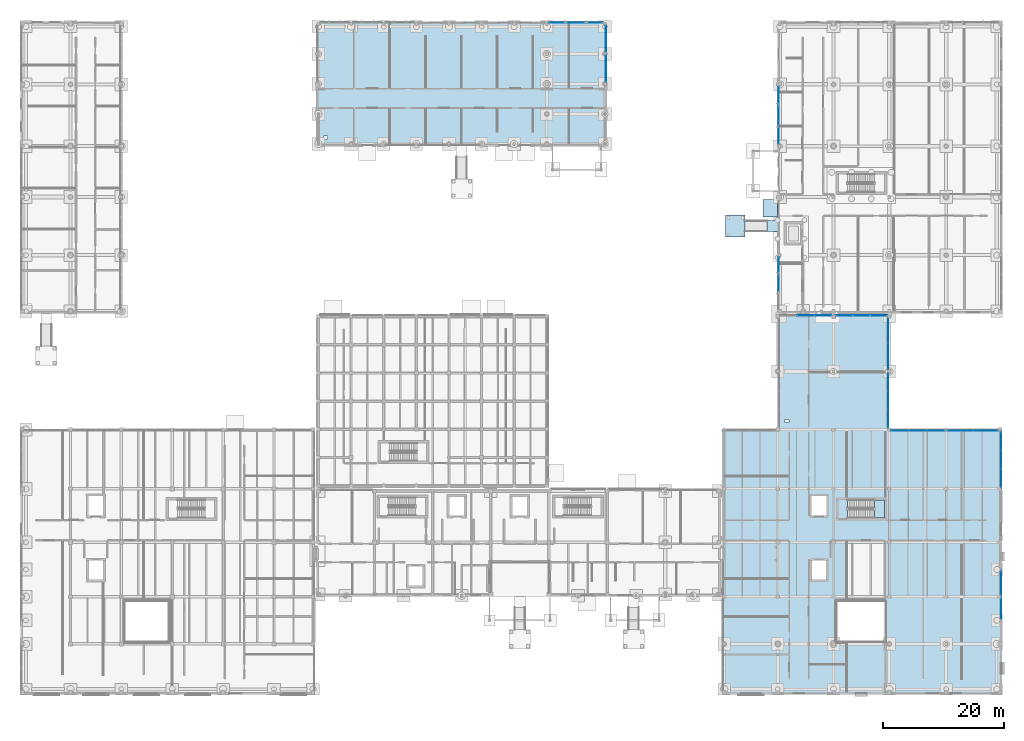
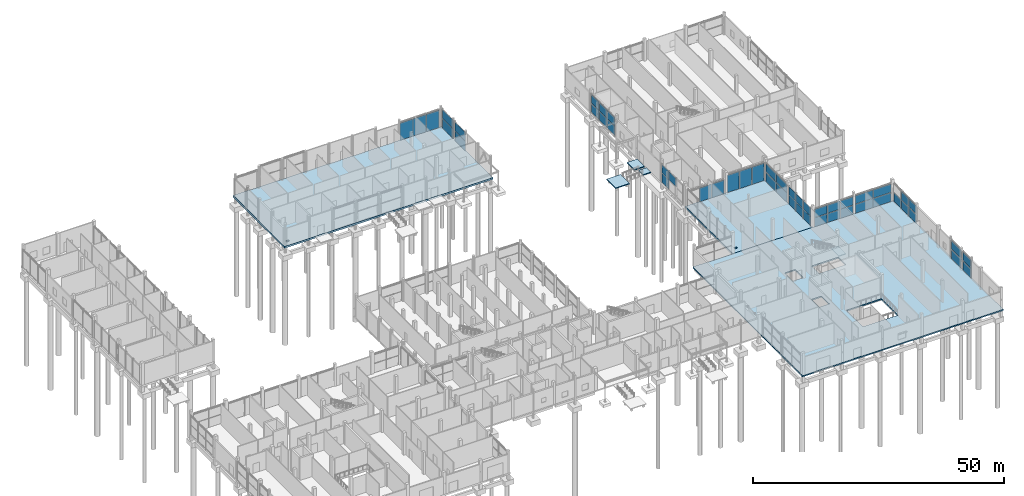
# One storey, part 51 of 88: 50 plates, 7 slabs, 16 elements without a shape of their own.
"""IFC4 building model written with IfcOpenShell, lengths in metres."""

from ifc_helpers import new_model, si_unit, direction, frame, origin, origin_2d, place, context, subcontext, project, spatial, polyline, rectangle, outline, extrude, material, layer, layer_set, type_object, element, aggregate, save


model = new_model("IFC4")

# Units and contexts
model_context = context("Model", 3, precision=1e-05, world=origin(), true_north=direction((0.0, 1.0)))
body_context = subcontext(model_context, "Body", "Model", "MODEL_VIEW")
ifc_project = project(units=[si_unit("LENGTHUNIT", "METRE"), si_unit("AREAUNIT", "SQUARE_METRE"), si_unit("VOLUMEUNIT", "CUBIC_METRE"), si_unit("PLANEANGLEUNIT", "RADIAN"), si_unit("MASSUNIT", "GRAM", prefix="KILO")], contexts=[model_context])

# Site, building, storey
site_placement = place(None, origin())
site = spatial("IfcSite", under=ifc_project, at=site_placement, CompositionType="ELEMENT")
building_placement = place(site_placement, origin())
building = spatial("IfcBuilding", under=site, at=building_placement, Name="Birchvale Park Specialist Clinic", CompositionType="ELEMENT")
storey_placement = place(building_placement, origin())
storey = spatial("IfcBuildingStorey", under=building, at=storey_placement, Name="L00", CompositionType="ELEMENT", Elevation=0.0)

# Curtain wall, plates
ifc_material_1 = material(Name="Thermally broken anodised aluminium", Category="aluminium")
ifc_layer_1 = layer(ifc_material_1, 0.195068359375)
ifc_layer_set_1 = layer_set([ifc_layer_1], Name="Thermally broken anodised aluminium")
curtain_wall_type_1 = type_object("IfcCurtainWallType", Name="CW-U2", PredefinedType="USERDEFINED", material=ifc_layer_set_1)
curtain_wall_1_placement = place(storey_placement, origin())
curtain_wall_1 = element("IfcCurtainWall", 1, at=curtain_wall_1_placement, inside=storey, type_object=curtain_wall_type_1, Name="V5 L00 glazed curtain wall 46", ObjectType="UNITISED", PredefinedType="USERDEFINED")
ifc_material_2 = material(Name="Solar-control low-E double glazing", Category="glass")
ifc_layer_2 = layer(ifc_material_2, 0.031982421875)
ifc_layer_set_2 = layer_set([ifc_layer_2], Name="Solar-control low-E double glazing")
plate_type_1 = type_object("IfcPlateType", Name="CWP2", PredefinedType="CURTAIN_PANEL", material=ifc_layer_set_2)
plate_1_placement = place(storey_placement, frame((164.875, 14.802490234375, 0.06494140625), z_axis=(0.0, 0.0, 1.0), x_axis=(0.0, 1.0, 0.0)))
plate_1 = element("IfcPlate", 2, at=plate_1_placement, type_object=plate_type_1, Name="CW panel 1.1", PredefinedType="CURTAIN_PANEL", context=body_context, shape_type="SweptSolid", body=[
    extrude(rectangle(XDim=3.3349609375, YDim=0.031982421875, at=origin_2d()), origin(), (0.0, 0.0, 1.0), 2.27880859375),
])
plate_2_placement = place(storey_placement, frame((164.875, 14.802490234375, 2.408935546875), z_axis=(0.0, 0.0, 1.0), x_axis=(0.0, 1.0, 0.0)))
plate_2 = element("IfcPlate", 3, at=plate_2_placement, type_object=plate_type_1, Name="CW panel 1.2", PredefinedType="CURTAIN_PANEL", context=body_context, shape_type="SweptSolid", body=[
    extrude(rectangle(XDim=3.3349609375, YDim=0.031982421875, at=origin_2d()), origin(), (0.0, 0.0, 1.0), 2.09619140625),
])
aggregate(curtain_wall_1, [plate_1, plate_2])

curtain_wall_2_placement = place(storey_placement, origin())
curtain_wall_2 = element("IfcCurtainWall", 4, at=curtain_wall_2_placement, inside=storey, type_object=curtain_wall_type_1, Name="V5 L00 glazed curtain wall 47", ObjectType="UNITISED", PredefinedType="USERDEFINED")
plate_3_placement = place(storey_placement, frame((164.875, 19.1025390625, 0.06494140625), z_axis=(0.0, 0.0, 1.0), x_axis=(0.0, 1.0, 0.0)))
plate_3 = element("IfcPlate", 5, at=plate_3_placement, type_object=plate_type_1, Name="CW panel 1.1", PredefinedType="CURTAIN_PANEL", context=body_context, shape_type="SweptSolid", body=[
    extrude(rectangle(XDim=3.945068359375, YDim=0.031982421875, at=origin_2d()), origin(), (0.0, 0.0, 1.0), 2.27880859375),
])
plate_4_placement = place(storey_placement, frame((164.875, 19.1025390625, 2.408935546875), z_axis=(0.0, 0.0, 1.0), x_axis=(0.0, 1.0, 0.0)))
plate_4 = element("IfcPlate", 6, at=plate_4_placement, type_object=plate_type_1, Name="CW panel 1.2", PredefinedType="CURTAIN_PANEL", context=body_context, shape_type="SweptSolid", body=[
    extrude(rectangle(XDim=3.945068359375, YDim=0.031982421875, at=origin_2d()), origin(), (0.0, 0.0, 1.0), 2.09619140625),
])
aggregate(curtain_wall_2, [plate_3, plate_4])

curtain_wall_3_placement = place(storey_placement, origin())
curtain_wall_3 = element("IfcCurtainWall", 7, at=curtain_wall_3_placement, inside=storey, type_object=curtain_wall_type_1, Name="V5 L00 glazed curtain wall 48", ObjectType="UNITISED", PredefinedType="USERDEFINED")
plate_5_placement = place(storey_placement, frame((164.875, 36.41796875, 0.06494140625), z_axis=(0.0, 0.0, 1.0), x_axis=(0.0, 1.0, 0.0)))
plate_5 = element("IfcPlate", 8, at=plate_5_placement, type_object=plate_type_1, Name="CW panel 1.1", PredefinedType="CURTAIN_PANEL", context=body_context, shape_type="SweptSolid", body=[
    extrude(rectangle(XDim=2.975830078125, YDim=0.031982421875, at=origin_2d()), origin(), (0.0, 0.0, 1.0), 2.226806640625),
])
plate_6_placement = place(storey_placement, frame((164.875, 36.41796875, 2.35693359375), z_axis=(0.0, 0.0, 1.0), x_axis=(0.0, 1.0, 0.0)))
plate_6 = element("IfcPlate", 9, at=plate_6_placement, type_object=plate_type_1, Name="CW panel 1.2", PredefinedType="CURTAIN_PANEL", context=body_context, shape_type="SweptSolid", body=[
    extrude(rectangle(XDim=2.975830078125, YDim=0.031982421875, at=origin_2d()), origin(), (0.0, 0.0, 1.0), 2.048095703125),
])
plate_7_placement = place(storey_placement, frame((164.875, 39.47509765625, 0.06494140625), z_axis=(0.0, 0.0, 1.0), x_axis=(0.0, 1.0, 0.0)))
plate_7 = element("IfcPlate", 10, at=plate_7_placement, type_object=plate_type_1, Name="CW panel 2.1", PredefinedType="CURTAIN_PANEL", context=body_context, shape_type="SweptSolid", body=[
    extrude(rectangle(XDim=3.00830078125, YDim=0.031982421875, at=origin_2d()), origin(), (0.0, 0.0, 1.0), 2.226806640625),
])
plate_8_placement = place(storey_placement, frame((164.875, 39.47509765625, 2.35693359375), z_axis=(0.0, 0.0, 1.0), x_axis=(0.0, 1.0, 0.0)))
plate_8 = element("IfcPlate", 11, at=plate_8_placement, type_object=plate_type_1, Name="CW panel 2.2", PredefinedType="CURTAIN_PANEL", context=body_context, shape_type="SweptSolid", body=[
    extrude(rectangle(XDim=3.00830078125, YDim=0.031982421875, at=origin_2d()), origin(), (0.0, 0.0, 1.0), 2.048095703125),
])
plate_9_placement = place(storey_placement, frame((164.875, 42.531982421875, 0.06494140625), z_axis=(0.0, 0.0, 1.0), x_axis=(0.0, 1.0, 0.0)))
plate_9 = element("IfcPlate", 12, at=plate_9_placement, type_object=plate_type_1, Name="CW panel 3.1", PredefinedType="CURTAIN_PANEL", context=body_context, shape_type="SweptSolid", body=[
    extrude(rectangle(XDim=2.975830078125, YDim=0.031982421875, at=origin_2d()), origin(), (0.0, 0.0, 1.0), 2.226806640625),
])
aggregate(curtain_wall_3, [plate_5, plate_6, plate_7, plate_8, plate_9])

curtain_wall_4_placement = place(storey_placement, origin())
curtain_wall_4 = element("IfcCurtainWall", 13, at=curtain_wall_4_placement, inside=storey, type_object=curtain_wall_type_1, Name="V5 L00 glazed curtain wall 49", ObjectType="UNITISED", PredefinedType="USERDEFINED")
plate_10_placement = place(storey_placement, frame((162.2724609375, 44.22509765625, 0.06494140625), z_axis=(0.0, 0.0, 1.0), x_axis=(-1.0, 0.0, 0.0)))
plate_10 = element("IfcPlate", 14, at=plate_10_placement, type_object=plate_type_1, Name="CW panel 1.1", PredefinedType="CURTAIN_PANEL", context=body_context, shape_type="SweptSolid", body=[
    extrude(rectangle(XDim=4.094970703125, YDim=0.031982421875, at=origin_2d()), origin(), (0.0, 0.0, 1.0), 2.2216796875),
])
plate_11_placement = place(storey_placement, frame((162.2724609375, 44.22509765625, 2.3515625), z_axis=(0.0, 0.0, 1.0), x_axis=(-1.0, 0.0, 0.0)))
plate_11 = element("IfcPlate", 15, at=plate_11_placement, type_object=plate_type_1, Name="CW panel 1.2", PredefinedType="CURTAIN_PANEL", context=body_context, shape_type="SweptSolid", body=[
    extrude(rectangle(XDim=4.094970703125, YDim=0.031982421875, at=origin_2d()), origin(), (0.0, 0.0, 1.0), 2.043212890625),
])
plate_12_placement = place(storey_placement, frame((158.112548828125, 44.22509765625, 0.06494140625), z_axis=(0.0, 0.0, 1.0), x_axis=(-1.0, 0.0, 0.0)))
plate_12 = element("IfcPlate", 16, at=plate_12_placement, type_object=plate_type_1, Name="CW panel 2.1", PredefinedType="CURTAIN_PANEL", context=body_context, shape_type="SweptSolid", body=[
    extrude(rectangle(XDim=4.094970703125, YDim=0.031982421875, at=origin_2d()), origin(), (0.0, 0.0, 1.0), 2.2216796875),
])
plate_13_placement = place(storey_placement, frame((158.112548828125, 44.22509765625, 2.3515625), z_axis=(0.0, 0.0, 1.0), x_axis=(-1.0, 0.0, 0.0)))
plate_13 = element("IfcPlate", 17, at=plate_13_placement, type_object=plate_type_1, Name="CW panel 2.2", PredefinedType="CURTAIN_PANEL", context=body_context, shape_type="SweptSolid", body=[
    extrude(rectangle(XDim=4.094970703125, YDim=0.031982421875, at=origin_2d()), origin(), (0.0, 0.0, 1.0), 2.043212890625),
])
aggregate(curtain_wall_4, [plate_10, plate_11, plate_12, plate_13])

curtain_wall_5_placement = place(storey_placement, origin())
curtain_wall_5 = element("IfcCurtainWall", 18, at=curtain_wall_5_placement, inside=storey, type_object=curtain_wall_type_1, Name="V5 L00 glazed curtain wall 50", ObjectType="UNITISED", PredefinedType="USERDEFINED")
plate_14_placement = place(storey_placement, frame((154.09619140625, 44.22509765625, 0.06494140625), z_axis=(0.0, 0.0, 1.0), x_axis=(-1.0, 0.0, 0.0)))
plate_14 = element("IfcPlate", 19, at=plate_14_placement, type_object=plate_type_1, Name="CW panel 1.1", PredefinedType="CURTAIN_PANEL", context=body_context, shape_type="SweptSolid", body=[
    extrude(rectangle(XDim=2.87744140625, YDim=0.031982421875, at=origin_2d()), origin(), (0.0, 0.0, 1.0), 2.208740234375),
])
plate_15_placement = place(storey_placement, frame((154.09619140625, 44.22509765625, 2.338623046875), z_axis=(0.0, 0.0, 1.0), x_axis=(-1.0, 0.0, 0.0)))
plate_15 = element("IfcPlate", 20, at=plate_15_placement, type_object=plate_type_1, Name="CW panel 1.2", PredefinedType="CURTAIN_PANEL", context=body_context, shape_type="SweptSolid", body=[
    extrude(rectangle(XDim=2.87744140625, YDim=0.031982421875, at=origin_2d()), origin(), (0.0, 0.0, 1.0), 2.03125),
])
plate_16_placement = place(storey_placement, frame((151.137451171875, 44.22509765625, 0.06494140625), z_axis=(0.0, 0.0, 1.0), x_axis=(-1.0, 0.0, 0.0)))
plate_16 = element("IfcPlate", 21, at=plate_16_placement, type_object=plate_type_1, Name="CW panel 2.1", PredefinedType="CURTAIN_PANEL", context=body_context, shape_type="SweptSolid", body=[
    extrude(rectangle(XDim=2.909912109375, YDim=0.031982421875, at=origin_2d()), origin(), (0.0, 0.0, 1.0), 2.208740234375),
])
plate_17_placement = place(storey_placement, frame((151.137451171875, 44.22509765625, 2.338623046875), z_axis=(0.0, 0.0, 1.0), x_axis=(-1.0, 0.0, 0.0)))
plate_17 = element("IfcPlate", 22, at=plate_17_placement, type_object=plate_type_1, Name="CW panel 2.2", PredefinedType="CURTAIN_PANEL", context=body_context, shape_type="SweptSolid", body=[
    extrude(rectangle(XDim=2.909912109375, YDim=0.031982421875, at=origin_2d()), origin(), (0.0, 0.0, 1.0), 2.03125),
])
plate_18_placement = place(storey_placement, frame((148.1787109375, 44.22509765625, 0.06494140625), z_axis=(0.0, 0.0, 1.0), x_axis=(-1.0, 0.0, 0.0)))
plate_18 = element("IfcPlate", 23, at=plate_18_placement, type_object=plate_type_1, Name="CW panel 3.1", PredefinedType="CURTAIN_PANEL", context=body_context, shape_type="SweptSolid", body=[
    extrude(rectangle(XDim=2.87744140625, YDim=0.031982421875, at=origin_2d()), origin(), (0.0, 0.0, 1.0), 2.208740234375),
])
plate_19_placement = place(storey_placement, frame((148.1787109375, 44.22509765625, 2.338623046875), z_axis=(0.0, 0.0, 1.0), x_axis=(-1.0, 0.0, 0.0)))
plate_19 = element("IfcPlate", 24, at=plate_19_placement, type_object=plate_type_1, Name="CW panel 3.2", PredefinedType="CURTAIN_PANEL", context=body_context, shape_type="SweptSolid", body=[
    extrude(rectangle(XDim=2.87744140625, YDim=0.031982421875, at=origin_2d()), origin(), (0.0, 0.0, 1.0), 2.03125),
])
aggregate(curtain_wall_5, [plate_14, plate_15, plate_16, plate_17, plate_18, plate_19])

curtain_wall_6_placement = place(storey_placement, origin())
curtain_wall_6 = element("IfcCurtainWall", 25, at=curtain_wall_6_placement, inside=storey, type_object=curtain_wall_type_1, Name="V5 L00 glazed curtain wall 55", ObjectType="UNITISED", PredefinedType="USERDEFINED")
plate_20_placement = place(storey_placement, frame((146.22509765625, 46.191162109375, 0.06494140625), z_axis=(0.0, 0.0, 1.0), x_axis=(0.0, 1.0, 0.0)))
plate_20 = element("IfcPlate", 26, at=plate_20_placement, type_object=plate_type_1, Name="CW panel 1.1", PredefinedType="CURTAIN_PANEL", context=body_context, shape_type="SweptSolid", body=[
    extrude(rectangle(XDim=2.902587890625, YDim=0.031982421875, at=origin_2d()), origin(), (0.0, 0.0, 1.0), 2.234619140625),
])
plate_21_placement = place(storey_placement, frame((146.22509765625, 46.191162109375, 2.36474609375), z_axis=(0.0, 0.0, 1.0), x_axis=(0.0, 1.0, 0.0)))
plate_21 = element("IfcPlate", 27, at=plate_21_placement, type_object=plate_type_1, Name="CW panel 1.2", PredefinedType="CURTAIN_PANEL", context=body_context, shape_type="SweptSolid", body=[
    extrude(rectangle(XDim=2.902587890625, YDim=0.031982421875, at=origin_2d()), origin(), (0.0, 0.0, 1.0), 2.055419921875),
])
plate_22_placement = place(storey_placement, frame((146.22509765625, 49.175048828125, 0.06494140625), z_axis=(0.0, 0.0, 1.0), x_axis=(0.0, 1.0, 0.0)))
plate_22 = element("IfcPlate", 28, at=plate_22_placement, type_object=plate_type_1, Name="CW panel 2.1", PredefinedType="CURTAIN_PANEL", context=body_context, shape_type="SweptSolid", body=[
    extrude(rectangle(XDim=2.93505859375, YDim=0.031982421875, at=origin_2d()), origin(), (0.0, 0.0, 1.0), 2.234619140625),
])
plate_23_placement = place(storey_placement, frame((146.22509765625, 49.175048828125, 2.36474609375), z_axis=(0.0, 0.0, 1.0), x_axis=(0.0, 1.0, 0.0)))
plate_23 = element("IfcPlate", 29, at=plate_23_placement, type_object=plate_type_1, Name="CW panel 2.2", PredefinedType="CURTAIN_PANEL", context=body_context, shape_type="SweptSolid", body=[
    extrude(rectangle(XDim=2.93505859375, YDim=0.031982421875, at=origin_2d()), origin(), (0.0, 0.0, 1.0), 2.055419921875),
])
plate_24_placement = place(storey_placement, frame((146.22509765625, 52.15869140625, 0.06494140625), z_axis=(0.0, 0.0, 1.0), x_axis=(0.0, 1.0, 0.0)))
plate_24 = element("IfcPlate", 30, at=plate_24_placement, type_object=plate_type_1, Name="CW panel 3.1", PredefinedType="CURTAIN_PANEL", context=body_context, shape_type="SweptSolid", body=[
    extrude(rectangle(XDim=2.902587890625, YDim=0.031982421875, at=origin_2d()), origin(), (0.0, 0.0, 1.0), 2.234619140625),
])
plate_25_placement = place(storey_placement, frame((146.22509765625, 52.15869140625, 2.36474609375), z_axis=(0.0, 0.0, 1.0), x_axis=(0.0, 1.0, 0.0)))
plate_25 = element("IfcPlate", 31, at=plate_25_placement, type_object=plate_type_1, Name="CW panel 3.2", PredefinedType="CURTAIN_PANEL", context=body_context, shape_type="SweptSolid", body=[
    extrude(rectangle(XDim=2.902587890625, YDim=0.031982421875, at=origin_2d()), origin(), (0.0, 0.0, 1.0), 2.055419921875),
])
aggregate(curtain_wall_6, [plate_20, plate_21, plate_22, plate_23, plate_24, plate_25])

curtain_wall_7_placement = place(storey_placement, origin())
curtain_wall_7 = element("IfcCurtainWall", 32, at=curtain_wall_7_placement, inside=storey, type_object=curtain_wall_type_1, Name="V5 L00 glazed curtain wall 56", ObjectType="UNITISED", PredefinedType="USERDEFINED")
plate_26_placement = place(storey_placement, frame((146.22509765625, 56.456298828125, 0.06494140625), z_axis=(0.0, 0.0, 1.0), x_axis=(0.0, 1.0, 0.0)))
plate_26 = element("IfcPlate", 33, at=plate_26_placement, type_object=plate_type_1, Name="CW panel 1.1", PredefinedType="CURTAIN_PANEL", context=body_context, shape_type="SweptSolid", body=[
    extrude(rectangle(XDim=4.132568359375, YDim=0.031982421875, at=origin_2d()), origin(), (0.0, 0.0, 1.0), 2.28662109375),
])
plate_27_placement = place(storey_placement, frame((146.22509765625, 56.456298828125, 2.41650390625), z_axis=(0.0, 0.0, 1.0), x_axis=(0.0, 1.0, 0.0)))
plate_27 = element("IfcPlate", 34, at=plate_27_placement, type_object=plate_type_1, Name="CW panel 1.2", PredefinedType="CURTAIN_PANEL", context=body_context, shape_type="SweptSolid", body=[
    extrude(rectangle(XDim=4.132568359375, YDim=0.031982421875, at=origin_2d()), origin(), (0.0, 0.0, 1.0), 2.103271484375),
])
plate_28_placement = place(storey_placement, frame((146.22509765625, 60.65380859375, 0.06494140625), z_axis=(0.0, 0.0, 1.0), x_axis=(0.0, 1.0, 0.0)))
plate_28 = element("IfcPlate", 35, at=plate_28_placement, type_object=plate_type_1, Name="CW panel 2.1", PredefinedType="CURTAIN_PANEL", context=body_context, shape_type="SweptSolid", body=[
    extrude(rectangle(XDim=4.132568359375, YDim=0.031982421875, at=origin_2d()), origin(), (0.0, 0.0, 1.0), 2.28662109375),
])
plate_29_placement = place(storey_placement, frame((146.22509765625, 60.65380859375, 2.41650390625), z_axis=(0.0, 0.0, 1.0), x_axis=(0.0, 1.0, 0.0)))
plate_29 = element("IfcPlate", 36, at=plate_29_placement, type_object=plate_type_1, Name="CW panel 2.2", PredefinedType="CURTAIN_PANEL", context=body_context, shape_type="SweptSolid", body=[
    extrude(rectangle(XDim=4.132568359375, YDim=0.031982421875, at=origin_2d()), origin(), (0.0, 0.0, 1.0), 2.103271484375),
])
aggregate(curtain_wall_7, [plate_26, plate_27, plate_28, plate_29])

curtain_wall_8_placement = place(storey_placement, origin())
curtain_wall_8 = element("IfcCurtainWall", 37, at=curtain_wall_8_placement, inside=storey, type_object=curtain_wall_type_1, Name="V5 L00 glazed curtain wall 57", ObjectType="UNITISED", PredefinedType="USERDEFINED")
plate_30_placement = place(storey_placement, frame((144.677978515625, 63.22509765625, 0.06494140625), z_axis=(0.0, 0.0, 1.0), x_axis=(-1.0, 0.0, 0.0)))
plate_30 = element("IfcPlate", 38, at=plate_30_placement, type_object=plate_type_1, Name="CW panel 1.1", PredefinedType="CURTAIN_PANEL", context=body_context, shape_type="SweptSolid", body=[
    extrude(rectangle(XDim=2.7841796875, YDim=0.031982421875, at=origin_2d()), origin(), (0.0, 0.0, 1.0), 4.264892578125),
])
plate_31_placement = place(storey_placement, frame((141.8125, 63.22509765625, 0.06494140625), z_axis=(0.0, 0.0, 1.0), x_axis=(-1.0, 0.0, 0.0)))
plate_31 = element("IfcPlate", 39, at=plate_31_placement, type_object=plate_type_1, Name="CW panel 2.1", PredefinedType="CURTAIN_PANEL", context=body_context, shape_type="SweptSolid", body=[
    extrude(rectangle(XDim=2.816650390625, YDim=0.031982421875, at=origin_2d()), origin(), (0.0, 0.0, 1.0), 4.264892578125),
])
plate_32_placement = place(storey_placement, frame((138.947021484375, 63.22509765625, 0.06494140625), z_axis=(0.0, 0.0, 1.0), x_axis=(-1.0, 0.0, 0.0)))
plate_32 = element("IfcPlate", 40, at=plate_32_placement, type_object=plate_type_1, Name="CW panel 3.1", PredefinedType="CURTAIN_PANEL", context=body_context, shape_type="SweptSolid", body=[
    extrude(rectangle(XDim=2.7841796875, YDim=0.031982421875, at=origin_2d()), origin(), (0.0, 0.0, 1.0), 4.264892578125),
])
aggregate(curtain_wall_8, [plate_30, plate_31, plate_32])

curtain_wall_9_placement = place(storey_placement, origin())
curtain_wall_9 = element("IfcCurtainWall", 41, at=curtain_wall_9_placement, inside=storey, type_object=curtain_wall_type_1, Name="V5 L00 glazed curtain wall 58", ObjectType="UNITISED", PredefinedType="USERDEFINED")
plate_33_placement = place(storey_placement, frame((135.461181640625, 63.22509765625, 0.06494140625), z_axis=(0.0, 0.0, 1.0), x_axis=(-1.0, 0.0, 0.0)))
plate_33 = element("IfcPlate", 42, at=plate_33_placement, type_object=plate_type_1, Name="CW panel 1.1", PredefinedType="CURTAIN_PANEL", context=body_context, shape_type="SweptSolid", body=[
    extrude(rectangle(XDim=2.767578125, YDim=0.031982421875, at=origin_2d()), origin(), (0.0, 0.0, 1.0), 3.3779296875),
])
plate_34_placement = place(storey_placement, frame((132.612548828125, 63.22509765625, 0.06494140625), z_axis=(0.0, 0.0, 1.0), x_axis=(-1.0, 0.0, 0.0)))
plate_34 = element("IfcPlate", 43, at=plate_34_placement, type_object=plate_type_1, Name="CW panel 2.1", PredefinedType="CURTAIN_PANEL", context=body_context, shape_type="SweptSolid", body=[
    extrude(rectangle(XDim=2.800048828125, YDim=0.031982421875, at=origin_2d()), origin(), (0.0, 0.0, 1.0), 3.3779296875),
])
aggregate(curtain_wall_9, [plate_33, plate_34])

ifc_layer_3 = layer(ifc_material_1, 0.2099609375)
ifc_layer_set_3 = layer_set([ifc_layer_3], Name="Thermally broken anodised aluminium")
curtain_wall_type_2 = type_object("IfcCurtainWallType", Name="CW-U3", PredefinedType="USERDEFINED", material=ifc_layer_set_3)
curtain_wall_10_placement = place(storey_placement, origin())
curtain_wall_10 = element("IfcCurtainWall", 44, at=curtain_wall_10_placement, inside=storey, type_object=curtain_wall_type_2, Name="V6 L00 glazed curtain wall 66", ObjectType="UNITISED", PredefinedType="USERDEFINED")
ifc_layer_4 = layer(ifc_material_2, 0.035888671875)
ifc_layer_set_4 = layer_set([ifc_layer_4], Name="Solar-control low-E double glazing")
plate_type_2 = type_object("IfcPlateType", Name="CWP3", PredefinedType="CURTAIN_PANEL", material=ifc_layer_set_4)
plate_35_placement = place(storey_placement, frame((128.14501953125, 99.4892578125, 0.06982421875), z_axis=(0.0, 0.0, 1.0), x_axis=(0.0, -1.0, 0.0)))
plate_35 = element("IfcPlate", 45, at=plate_35_placement, type_object=plate_type_2, Name="CW panel 1.1", PredefinedType="CURTAIN_PANEL", context=body_context, shape_type="SweptSolid", body=[
    extrude(rectangle(XDim=3.1015625, YDim=0.035888671875, at=origin_2d()), origin(), (0.0, 0.0, 1.0), 2.206298828125),
])
plate_36_placement = place(storey_placement, frame((128.14501953125, 99.4892578125, 2.34619140625), z_axis=(0.0, 0.0, 1.0), x_axis=(0.0, -1.0, 0.0)))
plate_36 = element("IfcPlate", 46, at=plate_36_placement, type_object=plate_type_2, Name="CW panel 1.2", PredefinedType="CURTAIN_PANEL", context=body_context, shape_type="SweptSolid", body=[
    extrude(rectangle(XDim=3.1015625, YDim=0.035888671875, at=origin_2d()), origin(), (0.0, 0.0, 1.0), 2.028564453125),
])
plate_37_placement = place(storey_placement, frame((128.14501953125, 96.300048828125, 0.06982421875), z_axis=(0.0, 0.0, 1.0), x_axis=(0.0, -1.0, 0.0)))
plate_37 = element("IfcPlate", 47, at=plate_37_placement, type_object=plate_type_2, Name="CW panel 2.1", PredefinedType="CURTAIN_PANEL", context=body_context, shape_type="SweptSolid", body=[
    extrude(rectangle(XDim=3.13671875, YDim=0.035888671875, at=origin_2d()), origin(), (0.0, 0.0, 1.0), 2.206298828125),
])
plate_38_placement = place(storey_placement, frame((128.14501953125, 96.300048828125, 2.34619140625), z_axis=(0.0, 0.0, 1.0), x_axis=(0.0, -1.0, 0.0)))
plate_38 = element("IfcPlate", 48, at=plate_38_placement, type_object=plate_type_2, Name="CW panel 2.2", PredefinedType="CURTAIN_PANEL", context=body_context, shape_type="SweptSolid", body=[
    extrude(rectangle(XDim=3.13671875, YDim=0.035888671875, at=origin_2d()), origin(), (0.0, 0.0, 1.0), 2.028564453125),
])
plate_39_placement = place(storey_placement, frame((128.14501953125, 93.11083984375, 0.06982421875), z_axis=(0.0, 0.0, 1.0), x_axis=(0.0, -1.0, 0.0)))
plate_39 = element("IfcPlate", 49, at=plate_39_placement, type_object=plate_type_2, Name="CW panel 3.1", PredefinedType="CURTAIN_PANEL", context=body_context, shape_type="SweptSolid", body=[
    extrude(rectangle(XDim=3.1015625, YDim=0.035888671875, at=origin_2d()), origin(), (0.0, 0.0, 1.0), 2.206298828125),
])
plate_40_placement = place(storey_placement, frame((128.14501953125, 93.11083984375, 2.34619140625), z_axis=(0.0, 0.0, 1.0), x_axis=(0.0, -1.0, 0.0)))
plate_40 = element("IfcPlate", 50, at=plate_40_placement, type_object=plate_type_2, Name="CW panel 3.2", PredefinedType="CURTAIN_PANEL", context=body_context, shape_type="SweptSolid", body=[
    extrude(rectangle(XDim=3.1015625, YDim=0.035888671875, at=origin_2d()), origin(), (0.0, 0.0, 1.0), 2.028564453125),
])
aggregate(curtain_wall_10, [plate_35, plate_36, plate_37, plate_38, plate_39, plate_40])

curtain_wall_11_placement = place(storey_placement, origin())
curtain_wall_11 = element("IfcCurtainWall", 51, at=curtain_wall_11_placement, inside=storey, type_object=curtain_wall_type_2, Name="V6 L00 glazed curtain wall 67", ObjectType="UNITISED", PredefinedType="USERDEFINED")
plate_41_placement = place(storey_placement, frame((128.14501953125, 71.447509765625, 0.06982421875), z_axis=(0.0, 0.0, 1.0), x_axis=(0.0, -1.0, 0.0)))
plate_41 = element("IfcPlate", 52, at=plate_41_placement, type_object=plate_type_2, Name="CW panel 1.1", PredefinedType="CURTAIN_PANEL", context=body_context, shape_type="SweptSolid", body=[
    extrude(rectangle(XDim=2.784912109375, YDim=0.035888671875, at=origin_2d()), origin(), (0.0, 0.0, 1.0), 2.206298828125),
])
plate_42_placement = place(storey_placement, frame((128.14501953125, 71.447509765625, 2.34619140625), z_axis=(0.0, 0.0, 1.0), x_axis=(0.0, -1.0, 0.0)))
plate_42 = element("IfcPlate", 53, at=plate_42_placement, type_object=plate_type_2, Name="CW panel 1.2", PredefinedType="CURTAIN_PANEL", context=body_context, shape_type="SweptSolid", body=[
    extrude(rectangle(XDim=2.784912109375, YDim=0.035888671875, at=origin_2d()), origin(), (0.0, 0.0, 1.0), 2.028564453125),
])
plate_43_placement = place(storey_placement, frame((128.14501953125, 68.574951171875, 2.34619140625), z_axis=(0.0, 0.0, 1.0), x_axis=(0.0, -1.0, 0.0)))
plate_43 = element("IfcPlate", 54, at=plate_43_placement, type_object=plate_type_2, Name="CW panel 2.2", PredefinedType="CURTAIN_PANEL", context=body_context, shape_type="SweptSolid", body=[
    extrude(rectangle(XDim=2.820068359375, YDim=0.035888671875, at=origin_2d()), origin(), (0.0, 0.0, 1.0), 2.028564453125),
])
aggregate(curtain_wall_11, [plate_41, plate_42, plate_43])

ifc_layer_5 = layer(ifc_material_1, 0.1650390625)
ifc_layer_set_5 = layer_set([ifc_layer_5], Name="Thermally broken anodised aluminium")
curtain_wall_type_3 = type_object("IfcCurtainWallType", Name="CW-S1", PredefinedType="USERDEFINED", material=ifc_layer_set_5)
curtain_wall_12_placement = place(storey_placement, origin())
curtain_wall_12 = element("IfcCurtainWall", 55, at=curtain_wall_12_placement, inside=storey, type_object=curtain_wall_type_3, Name="V3 L00 glazed curtain wall 36", ObjectType="STICK", PredefinedType="USERDEFINED")
ifc_layer_6 = layer(ifc_material_2, 0.0400390625)
ifc_layer_set_6 = layer_set([ifc_layer_6], Name="Solar-control low-E double glazing")
plate_type_3 = type_object("IfcPlateType", Name="CWP4", PredefinedType="CURTAIN_PANEL", material=ifc_layer_set_6)
plate_44_placement = place(storey_placement, frame((99.635009765625, 103.956298828125, 0.074951171875), z_axis=(0.0, 0.0, 1.0), x_axis=(0.0, 1.0, 0.0)))
plate_44 = element("IfcPlate", 56, at=plate_44_placement, type_object=plate_type_3, Name="CW panel 1.1", PredefinedType="CURTAIN_PANEL", context=body_context, shape_type="SweptSolid", body=[
    extrude(rectangle(XDim=4.29248046875, YDim=0.0400390625, at=origin_2d()), origin(), (0.0, 0.0, 1.0), 2.31591796875),
])
plate_45_placement = place(storey_placement, frame((99.635009765625, 103.956298828125, 2.4658203125), z_axis=(0.0, 0.0, 1.0), x_axis=(0.0, 1.0, 0.0)))
plate_45 = element("IfcPlate", 57, at=plate_45_placement, type_object=plate_type_3, Name="CW panel 1.2", PredefinedType="CURTAIN_PANEL", context=body_context, shape_type="SweptSolid", body=[
    extrude(rectangle(XDim=4.29248046875, YDim=0.0400390625, at=origin_2d()), origin(), (0.0, 0.0, 1.0), 2.129150390625),
])
aggregate(curtain_wall_12, [plate_44, plate_45])

curtain_wall_13_placement = place(storey_placement, origin())
curtain_wall_13 = element("IfcCurtainWall", 58, at=curtain_wall_13_placement, inside=storey, type_object=curtain_wall_type_3, Name="V3 L00 glazed curtain wall 37", ObjectType="STICK", PredefinedType="USERDEFINED")
plate_46_placement = place(storey_placement, frame((99.635009765625, 108.918701171875, 0.074951171875), z_axis=(0.0, 0.0, 1.0), x_axis=(0.0, 1.0, 0.0)))
plate_46 = element("IfcPlate", 59, at=plate_46_placement, type_object=plate_type_3, Name="CW panel 1.1", PredefinedType="CURTAIN_PANEL", context=body_context, shape_type="SweptSolid", body=[
    extrude(rectangle(XDim=4.29248046875, YDim=0.0400390625, at=origin_2d()), origin(), (0.0, 0.0, 1.0), 2.31591796875),
])
plate_47_placement = place(storey_placement, frame((99.635009765625, 108.918701171875, 2.4658203125), z_axis=(0.0, 0.0, 1.0), x_axis=(0.0, 1.0, 0.0)))
plate_47 = element("IfcPlate", 60, at=plate_47_placement, type_object=plate_type_3, Name="CW panel 1.2", PredefinedType="CURTAIN_PANEL", context=body_context, shape_type="SweptSolid", body=[
    extrude(rectangle(XDim=4.29248046875, YDim=0.0400390625, at=origin_2d()), origin(), (0.0, 0.0, 1.0), 2.129150390625),
])
aggregate(curtain_wall_13, [plate_46, plate_47])

curtain_wall_14_placement = place(storey_placement, origin())
curtain_wall_14 = element("IfcCurtainWall", 61, at=curtain_wall_14_placement, inside=storey, type_object=curtain_wall_type_3, Name="V3 L00 glazed curtain wall 38", ObjectType="STICK", PredefinedType="USERDEFINED")
plate_48_placement = place(storey_placement, frame((97.657958984375, 111.5849609375, 0.0751953125), z_axis=(0.0, 0.0, 1.0), x_axis=(-1.0, 0.0, 0.0)))
plate_48 = element("IfcPlate", 62, at=plate_48_placement, type_object=plate_type_3, Name="CW panel 1.1", PredefinedType="CURTAIN_PANEL", context=body_context, shape_type="SweptSolid", body=[
    extrude(rectangle(XDim=2.9140625, YDim=0.0400390625, at=origin_2d()), origin(), (0.0, 0.0, 1.0), 4.239990234375),
])
plate_49_placement = place(storey_placement, frame((94.64990234375, 111.5849609375, 0.0751953125), z_axis=(0.0, 0.0, 1.0), x_axis=(-1.0, 0.0, 0.0)))
plate_49 = element("IfcPlate", 63, at=plate_49_placement, type_object=plate_type_3, Name="CW panel 2.1", PredefinedType="CURTAIN_PANEL", context=body_context, shape_type="SweptSolid", body=[
    extrude(rectangle(XDim=2.95166015625, YDim=0.0400390625, at=origin_2d()), origin(), (0.0, 0.0, 1.0), 4.239990234375),
])
plate_50_placement = place(storey_placement, frame((91.64208984375, 111.5849609375, 0.0751953125), z_axis=(0.0, 0.0, 1.0), x_axis=(-1.0, 0.0, 0.0)))
plate_50 = element("IfcPlate", 64, at=plate_50_placement, type_object=plate_type_3, Name="CW panel 3.1", PredefinedType="CURTAIN_PANEL", context=body_context, shape_type="SweptSolid", body=[
    extrude(rectangle(XDim=2.9140625, YDim=0.0400390625, at=origin_2d()), origin(), (0.0, 0.0, 1.0), 4.239990234375),
])
aggregate(curtain_wall_14, [plate_48, plate_49, plate_50])

# Slabs
ifc_material_3 = material(Name="Concrete C35/45", Category="concrete")
ifc_layer_7 = layer(ifc_material_3, 0.419921875)
ifc_layer_set_7 = layer_set([ifc_layer_7], Name="Concrete C35/45")
slab_type_1 = type_object("IfcSlabType", Name="SLB-BS3", PredefinedType="BASESLAB", material=ifc_layer_set_7)
slab_1_placement = place(storey_placement, frame((0.0, 0.0, -0.419921875)))
element("IfcSlab", 65, at=slab_1_placement, inside=storey, type_object=slab_type_1, Name="V3 L00 structural slab 1", PredefinedType="BASESLAB", context=body_context, shape_type="SweptSolid", body=[
    extrude(outline(polyline([(51.800048828125, 91.199951171875), (99.800048828125, 91.199951171875), (99.800048828125, 111.75), (51.800048828125, 111.75), (51.800048828125, 91.199951171875)]), holes=[polyline([(53.0, 92.39990234375), (53.64990234375, 92.39990234375), (53.64990234375, 92.85009765625), (53.0, 92.85009765625), (53.0, 92.39990234375)])]), origin(), (0.0, 0.0, 1.0), 0.419921875),
])
slab_2_placement = place(storey_placement, frame((0.0, 0.0, -0.419921875)))
element("IfcSlab", 66, at=slab_2_placement, inside=storey, type_object=slab_type_1, Name="V5 L00 structural slab 2", PredefinedType="BASESLAB", context=body_context, shape_type="SweptSolid", body=[
    extrude(outline(polyline([(128.0, 44.39990234375), (146.39990234375, 44.39990234375), (146.39990234375, 63.39990234375), (128.0, 63.39990234375), (128.0, 44.39990234375)]), holes=[polyline([(129.199951171875, 45.60009765625), (129.85009765625, 45.60009765625), (129.85009765625, 46.050048828125), (129.199951171875, 46.050048828125), (129.199951171875, 45.60009765625)])]), origin(), (0.0, 0.0, 1.0), 0.419921875),
])
ifc_layer_8 = layer(ifc_material_3, 0.22998046875)
ifc_layer_set_8 = layer_set([ifc_layer_8], Name="Concrete C35/45")
slab_type_2 = type_object("IfcSlabType", Name="SLB-ES3", PredefinedType="FLOOR", material=ifc_layer_set_8)
slab_3_placement = place(storey_placement, frame((0.0, 0.0, -0.22998046875)))
element("IfcSlab", 67, at=slab_3_placement, inside=storey, type_object=slab_type_2, Name="V6 L00 exterior exit apron 32", PredefinedType="FLOOR", context=body_context, shape_type="SweptSolid", body=[
    extrude(outline(polyline([(125.5849609375, 79.510009765625), (127.985107421875, 79.510009765625), (127.985107421875, 82.409912109375), (125.5849609375, 82.409912109375), (125.5849609375, 79.510009765625)])), origin(), (0.0, 0.0, 1.0), 0.22998046875),
])
ifc_layer_9 = layer(ifc_material_3, 0.300048828125)
ifc_layer_set_9 = layer_set([ifc_layer_9], Name="Concrete C35/45")
slab_type_3 = type_object("IfcSlabType", Name="SLB-FS3", PredefinedType="FLOOR", material=ifc_layer_set_9)
slab_4_placement = place(storey_placement, frame((0.0, 0.0, -0.300048828125)))
element("IfcSlab", 68, at=slab_4_placement, inside=storey, type_object=slab_type_3, Name="V5 L00 structural slab 1", PredefinedType="FLOOR", context=body_context, shape_type="SweptSolid", body=[
    extrude(outline(polyline([(118.800048828125, 0.64990234375), (165.050048828125, 0.64990234375), (165.050048828125, 44.39990234375), (118.800048828125, 44.39990234375), (118.800048828125, 0.64990234375)]), holes=[polyline([(137.800048828125, 9.39990234375), (145.800048828125, 9.39990234375), (145.800048828125, 16.0), (137.800048828125, 16.0), (137.800048828125, 9.39990234375)]), polyline([(139.5048828125, 29.800048828125), (145.60009765625, 29.800048828125), (145.60009765625, 32.800048828125), (139.5048828125, 32.800048828125), (139.5048828125, 29.800048828125)]), polyline([(133.64990234375, 19.64990234375), (135.949951171875, 19.64990234375), (135.949951171875, 22.75), (133.64990234375, 22.75), (133.64990234375, 19.64990234375)]), polyline([(133.60009765625, 30.199951171875), (136.0, 30.199951171875), (136.0, 33.39990234375), (133.60009765625, 33.39990234375), (133.60009765625, 30.199951171875)])]), origin(), (0.0, 0.0, 1.0), 0.300048828125),
])

# Ramp, slabs
ramp_type = type_object("IfcRampType", Name="RMP-AR1", PredefinedType="STRAIGHT_RUN_RAMP", material=ifc_material_3)
ramp_placement = place(storey_placement, origin())
ramp = element("IfcRamp", 69, at=ramp_placement, inside=storey, type_object=ramp_type, Name="Accessible 1:12 entrance ramp AR-5", PredefinedType="STRAIGHT_RUN_RAMP")
ifc_layer_10 = layer(ifc_material_3, 0.199951171875)
ifc_layer_set_10 = layer_set([ifc_layer_10], Name="Concrete C35/45")
slab_type_4 = type_object("IfcSlabType", Name="SLB-LND1", PredefinedType="LANDING", material=ifc_layer_set_10)
slab_5_placement = place(storey_placement, frame((0.0, 0.0, -0.5)))
slab_5 = element("IfcSlab", 70, at=slab_5_placement, type_object=slab_type_4, Name="Accessible ramp bottom landing AR-5", PredefinedType="LANDING", context=body_context, shape_type="SweptSolid", body=[
    extrude(outline(polyline([(119.39990234375, 76.199951171875), (122.60009765625, 76.199951171875), (122.60009765625, 79.800048828125), (119.39990234375, 79.800048828125), (119.39990234375, 76.199951171875)])), origin(), (0.0, 0.0, 1.0), 0.199951171875),
])
slab_6_placement = place(storey_placement, frame((0.0, 0.0, -0.199951171875)))
slab_6 = element("IfcSlab", 71, at=slab_6_placement, type_object=slab_type_4, Name="Accessible ramp top landing AR-5", PredefinedType="LANDING", context=body_context, shape_type="SweptSolid", body=[
    extrude(outline(polyline([(126.199951171875, 77.10009765625), (128.0, 77.10009765625), (128.0, 78.89990234375), (126.199951171875, 78.89990234375), (126.199951171875, 77.10009765625)])), origin(), (0.0, 0.0, 1.0), 0.199951171875),
])
aggregate(ramp, [slab_5, slab_6])

# Stair, slab
stair_type = type_object("IfcStairType", Name="ST-H54", PredefinedType="HALF_TURN_STAIR", material=ifc_material_3)
stair_placement = place(storey_placement, origin())
stair = element("IfcStair", 72, at=stair_placement, inside=storey, type_object=stair_type, Name="L00 Protected exit stair ST6", PredefinedType="HALF_TURN_STAIR")
slab_7_placement = place(storey_placement, frame((0.0, 0.0, 2.5)))
slab_7 = element("IfcSlab", 73, at=slab_7_placement, type_object=slab_type_4, Name="ST6 landing 1", PredefinedType="LANDING", context=body_context, shape_type="SweptSolid", body=[
    extrude(outline(polyline([(144.0, 29.800048828125), (145.60009765625, 29.800048828125), (145.60009765625, 32.800048828125), (144.0, 32.800048828125), (144.0, 29.800048828125)])), origin(), (0.0, 0.0, 1.0), 0.199951171875),
])
aggregate(stair, [slab_7])

save(model, "model.ifc")
